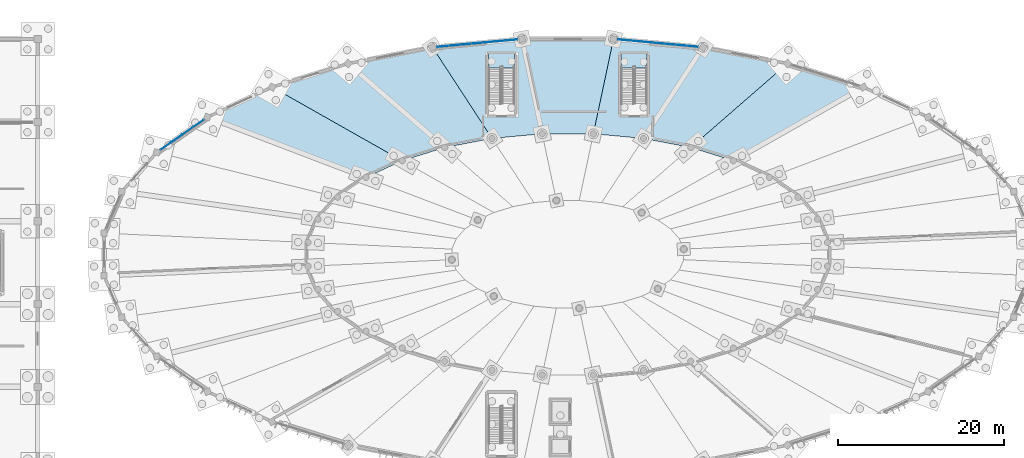
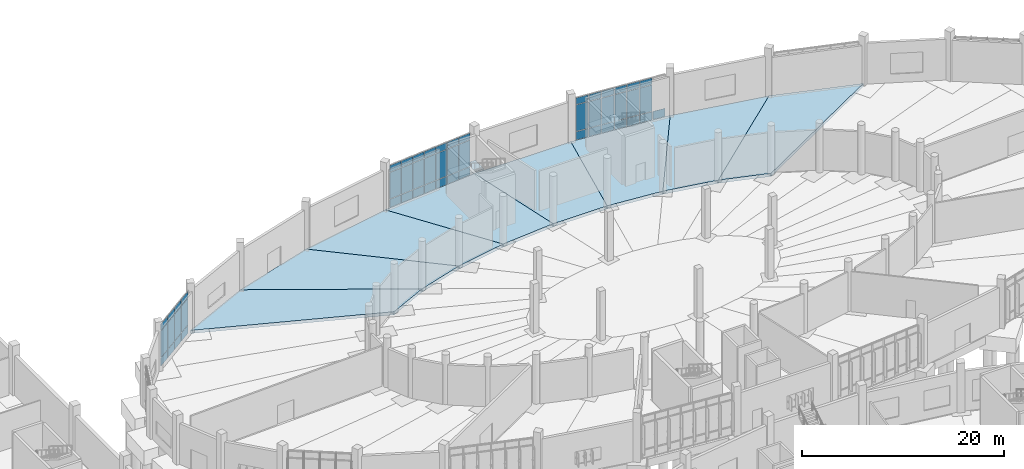
# One storey, part 72 of 140: 52 plates, 10 slabs, 5 elements without a shape of their own.
"""IFC4 building model written with IfcOpenShell, lengths in metres."""

import ifcopenshell
import ifcopenshell.guid

model = None  # the IFC model being written
_history = None  # IfcOwnerHistory: only IFC2X3 demands one
_inside = {}  # id of a spatial element -> (the spatial element, [elements in it])
_under = {}  # id of a project, library or spatial element -> (it, [spatial elements below it])
_declared = {}  # id of a project -> (the project, [libraries it declares])
_typed = {}  # id of a type object -> (the type object, [elements of that type])
_made_of = {}  # id of a material, layer set ... -> (it, [elements and type objects made of it])


def new_model(schema):
    """Start an empty IFC model of exactly this schema.

    Asked for "IFC4X3", IfcOpenShell would pick the latest addendum, in which some entities
    have other attributes; the version numbers below select the first issue.
    IFC2X3 requires an IfcOwnerHistory on every rooted entity: one is made here for all.
    """
    global model, _history
    if schema == "IFC4X3":
        model = ifcopenshell.file(schema_version=(4, 3, 0, 0))
    else:
        model = ifcopenshell.file(schema=schema)
    _inside.clear()
    _under.clear()
    _declared.clear()
    _typed.clear()
    _made_of.clear()
    _history = None
    if model.schema == "IFC2X3":
        org = make("IfcOrganization", Name="unknown")
        user = make(
            "IfcPersonAndOrganization",
            ThePerson=make("IfcPerson", FamilyName="unknown"),
            TheOrganization=org,
        )
        app = make(
            "IfcApplication",
            ApplicationDeveloper=org,
            Version="unknown",
            ApplicationFullName="unknown",
            ApplicationIdentifier="unknown",
        )
        _history = make(
            "IfcOwnerHistory",
            OwningUser=user,
            OwningApplication=app,
            ChangeAction="ADDED",
            CreationDate=0,
        )
    return model


def make(cls, **values):
    """One entity of the class cls with the attributes given. An attribute that is None is left unset."""
    return model.create_entity(
        cls, **{name: value for name, value in values.items() if value is not None}
    )


def rooted(cls, **values):
    """An entity with a GlobalId (a new one), such as an element, a storey or a relation."""
    return make(cls, GlobalId=ifcopenshell.guid.new(), OwnerHistory=_history, **values)


def si_unit(unit_type, name, prefix=None):
    """IfcSIUnit, for example si_unit("LENGTHUNIT", "METRE", prefix="MILLI")."""
    return make("IfcSIUnit", UnitType=unit_type, Prefix=prefix, Name=name)


def assignment(units):
    """IfcUnitAssignment: the units of a project."""
    return None if units is None else make("IfcUnitAssignment", Units=units)


def point(xyz):
    """IfcCartesianPoint."""
    return None if xyz is None else make("IfcCartesianPoint", Coordinates=xyz)


def direction(xyz):
    """IfcDirection."""
    return None if xyz is None else make("IfcDirection", DirectionRatios=xyz)


def frame(location, z_axis=None, x_axis=None):
    """IfcAxis2Placement3D, a coordinate frame: its origin and axes. An axis left out is left unset."""
    return make(
        "IfcAxis2Placement3D",
        Location=point(location),
        Axis=direction(z_axis),
        RefDirection=direction(x_axis),
    )


def frame_2d(location, x_axis=None):
    """IfcAxis2Placement2D, a coordinate frame in the plane: its origin and x axis."""
    return make(
        "IfcAxis2Placement2D", Location=point(location), RefDirection=direction(x_axis)
    )


def origin():
    """The frame at (0, 0, 0) with its axes left unset."""
    return frame((0.0, 0.0, 0.0))


def origin_2d():
    """The frame at (0, 0) in the plane with its x axis left unset."""
    return frame_2d((0.0, 0.0))


def place(relative_to, where):
    """IfcLocalPlacement: puts the frame where relative to a parent placement (None: the world)."""
    return make(
        "IfcLocalPlacement", PlacementRelTo=relative_to, RelativePlacement=where
    )


def context(
    kind, dimensions, precision=None, world=None, true_north=None, identifier=None
):
    """IfcGeometricRepresentationContext, for example the 3D "Model" context."""
    return make(
        "IfcGeometricRepresentationContext",
        ContextIdentifier=identifier,
        ContextType=kind,
        CoordinateSpaceDimension=dimensions,
        Precision=precision,
        WorldCoordinateSystem=world,
        TrueNorth=true_north,
    )


def subcontext(parent, identifier, kind, view, scale=None):
    """IfcGeometricRepresentationSubContext, for example "Body" below "Model"."""
    return make(
        "IfcGeometricRepresentationSubContext",
        ContextIdentifier=identifier,
        ContextType=kind,
        ParentContext=parent,
        TargetScale=scale,
        TargetView=view,
    )


def project(units=None, contexts=None):
    """IfcProject with its units and contexts."""
    return rooted(
        "IfcProject",
        Name="project",
        RepresentationContexts=contexts,
        UnitsInContext=assignment(units),
    )


def spatial(cls, under=None, at=None, **own):
    """A site, building, storey or space (cls), placed at a placement, below another one or the project."""
    s = rooted(cls, ObjectPlacement=at, **own)
    if under is not None:
        _under.setdefault(under.id(), (under, []))[1].append(s)
    return s


def polyline(points):
    """IfcPolyline through the points."""
    return make("IfcPolyline", Points=[point(p) for p in points])


def profile(cls, at=None, kind="AREA", **sizes):
    """A parametric profile (cls). Its sizes go by their IFC names, for example OverallWidth=200.0."""
    return make(cls, ProfileType=kind, Position=at, **sizes)


def rectangle(**sizes):
    """IfcRectangleProfileDef."""
    return profile("IfcRectangleProfileDef", **sizes)


def outline(outer, holes=None, kind="AREA"):
    """IfcArbitraryClosedProfileDef: a profile drawn as a closed curve; with holes, ...WithVoids."""
    if holes is None:
        return make("IfcArbitraryClosedProfileDef", ProfileType=kind, OuterCurve=outer)
    return make(
        "IfcArbitraryProfileDefWithVoids",
        ProfileType=kind,
        OuterCurve=outer,
        InnerCurves=holes,
    )


def extrude(swept, where, along, depth):
    """IfcExtrudedAreaSolid: the profile swept, set in the frame where, extruded along a direction by depth."""
    return make(
        "IfcExtrudedAreaSolid",
        SweptArea=swept,
        Position=where,
        ExtrudedDirection=direction(along),
        Depth=depth,
    )


def shape(context_of_items, identifier, shape_type, items):
    """IfcShapeRepresentation: the items that make up one representation, for example the "Body"."""
    return make(
        "IfcShapeRepresentation",
        ContextOfItems=context_of_items,
        RepresentationIdentifier=identifier,
        RepresentationType=shape_type,
        Items=items,
    )


def material(Name=None, Category=None):
    """IfcMaterial."""
    return make("IfcMaterial", Name=Name, Category=Category)


def layer(
    of_material, thickness, ventilated=None, Name=None, Category=None, Priority=None
):
    """IfcMaterialLayer: one layer of a wall or slab, of a material (None: an air gap)."""
    return make(
        "IfcMaterialLayer",
        Material=of_material,
        LayerThickness=thickness,
        IsVentilated=ventilated,
        Name=Name,
        Category=Category,
        Priority=Priority,
    )


def layer_set(layers, Name=None):
    """IfcMaterialLayerSet."""
    return make("IfcMaterialLayerSet", MaterialLayers=layers, LayerSetName=Name)


def made_of(thing, what):
    """Note that an element or type object is made of a material, layer set ...; save() writes the relation."""
    if what is not None:
        _made_of.setdefault(what.id(), (what, []))[1].append(thing)
    return thing


def type_object(cls, material=None, **own):
    """A type object (cls), such as IfcWallType, which elements share."""
    return made_of(rooted(cls, **own), material)


def element(
    cls,
    number,
    at=None,
    inside=None,
    cuts=None,
    type_object=None,
    material=None,
    context=None,
    identifier="Body",
    shape_type=None,
    held_by="IfcProductDefinitionShape",
    body=None,
    shapes=None,
    **own,
):
    """One element of the class cls, such as IfcWall. Its Tag is "e" and its number.

    at: its placement. inside: the storey or other place that contains it. cuts: it is an
    opening in that element (IfcRelVoidsElement). A single representation is given by context,
    identifier, shape_type and body (its items); several are given by shapes. held_by: the class
    of the entity that holds the representations. save() writes the other relations.
    """
    e = rooted(cls, Tag="e%d" % number, ObjectPlacement=at, **own)
    if body is not None:
        shapes = [shape(context, identifier, shape_type, body)]
    if shapes is not None:
        e.Representation = make(held_by, Representations=shapes)
    if inside is not None:
        _inside.setdefault(inside.id(), (inside, []))[1].append(e)
    if cuts is not None:
        rooted(
            "IfcRelVoidsElement", RelatingBuildingElement=cuts, RelatedOpeningElement=e
        )
    if type_object is not None:
        _typed.setdefault(type_object.id(), (type_object, []))[1].append(e)
    return made_of(e, material)


def aggregate(whole, parts):
    """IfcRelAggregates: a whole, such as a stair, and the parts it consists of."""
    return rooted("IfcRelAggregates", RelatingObject=whole, RelatedObjects=parts)


def save(model, path):
    """Write the relations noted so far, then the file.

    IfcRelAggregates (storeys below a building ...), IfcRelContainedInSpatialStructure (elements
    in a storey), IfcRelDefinesByType, IfcRelAssociatesMaterial and IfcRelDeclares: one each for
    every whole, place, type object, material and project.
    """
    for whole, parts in _under.values():
        aggregate(whole, parts)
    for where, things in _inside.values():
        rooted(
            "IfcRelContainedInSpatialStructure",
            RelatedElements=things,
            RelatingStructure=where,
        )
    for kind, things in _typed.values():
        rooted("IfcRelDefinesByType", RelatedObjects=things, RelatingType=kind)
    for what, things in _made_of.values():
        rooted("IfcRelAssociatesMaterial", RelatedObjects=things, RelatingMaterial=what)
    for by, libraries in _declared.values():
        rooted("IfcRelDeclares", RelatingContext=by, RelatedDefinitions=libraries)
    model.write(path)


model = new_model("IFC4")

# Units and contexts
model_context = context("Model", 3, precision=1e-05, world=origin(), true_north=direction((0.0, 1.0)))
body_context = subcontext(model_context, "Body", "Model", "MODEL_VIEW")
ifc_project = project(units=[si_unit("LENGTHUNIT", "METRE"), si_unit("AREAUNIT", "SQUARE_METRE"), si_unit("VOLUMEUNIT", "CUBIC_METRE"), si_unit("PLANEANGLEUNIT", "RADIAN"), si_unit("MASSUNIT", "GRAM", prefix="KILO")], contexts=[model_context])

# Site, building, storey
site_placement = place(None, origin())
site = spatial("IfcSite", under=ifc_project, at=site_placement, CompositionType="ELEMENT")
building_placement = place(site_placement, origin())
building = spatial("IfcBuilding", under=site, at=building_placement, Name="Corvandel Quay Wholesale Market", CompositionType="ELEMENT")
storey_placement = place(building_placement, origin())
storey = spatial("IfcBuildingStorey", under=building, at=storey_placement, Name="L00", CompositionType="ELEMENT", Elevation=0.0)

# Curtain wall, plates
ifc_material_1 = material(Name="Bronze anodised aluminium and low-E insulated glazing", Category="aluminium")
ifc_layer_1 = layer(ifc_material_1, 0.197998046875)
ifc_layer_set_1 = layer_set([ifc_layer_1], Name="Bronze anodised aluminium and low-E insulated glazing")
curtain_wall_type_1 = type_object("IfcCurtainWallType", Name="Stick Curtain Wall System CW09 H3810", PredefinedType="NOTDEFINED", material=ifc_layer_set_1)
curtain_wall_1_placement = place(storey_placement, origin())
curtain_wall_1 = element("IfcCurtainWall", 1, at=curtain_wall_1_placement, inside=storey, type_object=curtain_wall_type_1, Name="Curtain Wall CW-0096", PredefinedType="NOTDEFINED")
ifc_material_2 = material(Name="Solar-control low-E insulated glazing", Category="glass")
ifc_layer_2 = layer(ifc_material_2, 0.033935546875)
ifc_layer_set_2 = layer_set([ifc_layer_2], Name="Solar-control low-E insulated glazing")
plate_type_1 = type_object("IfcPlateType", Name="Acoustic Laminated Vision Panel PN02 34mm", PredefinedType="CURTAIN_PANEL", material=ifc_layer_set_2)
plate_1_placement = place(storey_placement, frame((129.101318359375, 141.114990234375, 0.0322265625), z_axis=(0.0, 0.0, 1.0), x_axis=(-0.995756880939, 0.092023008338, 0.0)))
plate_1 = element("IfcPlate", 2, at=plate_1_placement, type_object=plate_type_1, Name="Glazing Panel CW-0096-P00-0", PredefinedType="CURTAIN_PANEL", context=body_context, shape_type="SweptSolid", body=[
    extrude(rectangle(XDim=1.3330078125, YDim=0.033935546875, at=origin_2d()), origin(), (0.0, 0.0, 1.0), 0.985107421875),
])
plate_2_placement = place(storey_placement, frame((127.70947265625, 141.243408203125, 0.0322265625), z_axis=(0.0, 0.0, 1.0), x_axis=(-0.995756880939, 0.092023008338, 0.0)))
plate_2 = element("IfcPlate", 3, at=plate_2_placement, type_object=plate_type_1, Name="Glazing Panel CW-0096-P01-0", PredefinedType="CURTAIN_PANEL", context=body_context, shape_type="SweptSolid", body=[
    extrude(rectangle(XDim=1.3330078125, YDim=0.033935546875, at=origin_2d()), origin(), (0.0, 0.0, 1.0), 0.985107421875),
])
plate_3_placement = place(storey_placement, frame((127.70947265625, 141.243408203125, 1.08251953125), z_axis=(0.0, 0.0, 1.0), x_axis=(-0.995756880939, 0.092023008338, 0.0)))
plate_3 = element("IfcPlate", 4, at=plate_3_placement, type_object=plate_type_1, Name="Glazing Panel CW-0096-P01-1", PredefinedType="CURTAIN_PANEL", context=body_context, shape_type="SweptSolid", body=[
    extrude(rectangle(XDim=1.3330078125, YDim=0.033935546875, at=origin_2d()), origin(), (0.0, 0.0, 1.0), 3.18505859375),
])
plate_4_placement = place(storey_placement, frame((126.3173828125, 141.3720703125, 0.0322265625), z_axis=(0.0, 0.0, 1.0), x_axis=(-0.995756880939, 0.092023008338, 0.0)))
plate_4 = element("IfcPlate", 5, at=plate_4_placement, type_object=plate_type_1, Name="Glazing Panel CW-0096-P02-0", PredefinedType="CURTAIN_PANEL", context=body_context, shape_type="SweptSolid", body=[
    extrude(rectangle(XDim=1.3330078125, YDim=0.033935546875, at=origin_2d()), origin(), (0.0, 0.0, 1.0), 0.985107421875),
])
plate_5_placement = place(storey_placement, frame((126.3173828125, 141.3720703125, 1.08251953125), z_axis=(0.0, 0.0, 1.0), x_axis=(-0.995756880939, 0.092023008338, 0.0)))
plate_5 = element("IfcPlate", 6, at=plate_5_placement, type_object=plate_type_1, Name="Glazing Panel CW-0096-P02-1", PredefinedType="CURTAIN_PANEL", context=body_context, shape_type="SweptSolid", body=[
    extrude(rectangle(XDim=1.3330078125, YDim=0.033935546875, at=origin_2d()), origin(), (0.0, 0.0, 1.0), 3.18505859375),
])
plate_6_placement = place(storey_placement, frame((124.925537109375, 141.50048828125, 0.0322265625), z_axis=(0.0, 0.0, 1.0), x_axis=(-0.995756880939, 0.092023008338, 0.0)))
plate_6 = element("IfcPlate", 7, at=plate_6_placement, type_object=plate_type_1, Name="Glazing Panel CW-0096-P03-0", PredefinedType="CURTAIN_PANEL", context=body_context, shape_type="SweptSolid", body=[
    extrude(rectangle(XDim=1.3330078125, YDim=0.033935546875, at=origin_2d()), origin(), (0.0, 0.0, 1.0), 0.985107421875),
])
plate_7_placement = place(storey_placement, frame((124.925537109375, 141.50048828125, 1.08251953125), z_axis=(0.0, 0.0, 1.0), x_axis=(-0.995756880939, 0.092023008338, 0.0)))
plate_7 = element("IfcPlate", 8, at=plate_7_placement, type_object=plate_type_1, Name="Glazing Panel CW-0096-P03-1", PredefinedType="CURTAIN_PANEL", context=body_context, shape_type="SweptSolid", body=[
    extrude(rectangle(XDim=1.3330078125, YDim=0.033935546875, at=origin_2d()), origin(), (0.0, 0.0, 1.0), 3.18505859375),
])
plate_8_placement = place(storey_placement, frame((123.53369140625, 141.62890625, 0.0322265625), z_axis=(0.0, 0.0, 1.0), x_axis=(-0.995756880939, 0.092023008338, 0.0)))
plate_8 = element("IfcPlate", 9, at=plate_8_placement, type_object=plate_type_1, Name="Glazing Panel CW-0096-P04-0", PredefinedType="CURTAIN_PANEL", context=body_context, shape_type="SweptSolid", body=[
    extrude(rectangle(XDim=1.3330078125, YDim=0.033935546875, at=origin_2d()), origin(), (0.0, 0.0, 1.0), 0.985107421875),
])
plate_9_placement = place(storey_placement, frame((123.53369140625, 141.62890625, 1.08251953125), z_axis=(0.0, 0.0, 1.0), x_axis=(-0.995756880939, 0.092023008338, 0.0)))
plate_9 = element("IfcPlate", 10, at=plate_9_placement, type_object=plate_type_1, Name="Glazing Panel CW-0096-P04-1", PredefinedType="CURTAIN_PANEL", context=body_context, shape_type="SweptSolid", body=[
    extrude(rectangle(XDim=1.3330078125, YDim=0.033935546875, at=origin_2d()), origin(), (0.0, 0.0, 1.0), 3.18505859375),
])
plate_10_placement = place(storey_placement, frame((122.1416015625, 141.757568359375, 0.0322265625), z_axis=(0.0, 0.0, 1.0), x_axis=(-0.995756880939, 0.092023008338, 0.0)))
plate_10 = element("IfcPlate", 11, at=plate_10_placement, type_object=plate_type_1, Name="Glazing Panel CW-0096-P05-0", PredefinedType="CURTAIN_PANEL", context=body_context, shape_type="SweptSolid", body=[
    extrude(rectangle(XDim=1.3330078125, YDim=0.033935546875, at=origin_2d()), origin(), (0.0, 0.0, 1.0), 0.985107421875),
])
plate_11_placement = place(storey_placement, frame((122.1416015625, 141.757568359375, 1.08251953125), z_axis=(0.0, 0.0, 1.0), x_axis=(-0.995756880939, 0.092023008338, 0.0)))
plate_11 = element("IfcPlate", 12, at=plate_11_placement, type_object=plate_type_1, Name="Glazing Panel CW-0096-P05-1", PredefinedType="CURTAIN_PANEL", context=body_context, shape_type="SweptSolid", body=[
    extrude(rectangle(XDim=1.3330078125, YDim=0.033935546875, at=origin_2d()), origin(), (0.0, 0.0, 1.0), 3.18505859375),
])
plate_12_placement = place(storey_placement, frame((120.749755859375, 141.885986328125, 0.0322265625), z_axis=(0.0, 0.0, 1.0), x_axis=(-0.995756880939, 0.092023008338, 0.0)))
plate_12 = element("IfcPlate", 13, at=plate_12_placement, type_object=plate_type_1, Name="Glazing Panel CW-0096-P06-0", PredefinedType="CURTAIN_PANEL", context=body_context, shape_type="SweptSolid", body=[
    extrude(rectangle(XDim=1.3330078125, YDim=0.033935546875, at=origin_2d()), origin(), (0.0, 0.0, 1.0), 0.985107421875),
])
plate_13_placement = place(storey_placement, frame((120.749755859375, 141.885986328125, 1.08251953125), z_axis=(0.0, 0.0, 1.0), x_axis=(-0.995756880939, 0.092023008338, 0.0)))
plate_13 = element("IfcPlate", 14, at=plate_13_placement, type_object=plate_type_1, Name="Glazing Panel CW-0096-P06-1", PredefinedType="CURTAIN_PANEL", context=body_context, shape_type="SweptSolid", body=[
    extrude(rectangle(XDim=1.3330078125, YDim=0.033935546875, at=origin_2d()), origin(), (0.0, 0.0, 1.0), 3.18505859375),
])

ifc_layer_3 = layer(ifc_material_1, 0.162109375)
ifc_layer_set_3 = layer_set([ifc_layer_3], Name="Bronze anodised aluminium and low-E insulated glazing")
curtain_wall_type_2 = type_object("IfcCurtainWallType", Name="Stick Curtain Wall System CW11 H3990", PredefinedType="NOTDEFINED", material=ifc_layer_set_3)
curtain_wall_2_placement = place(storey_placement, origin())
curtain_wall_2 = element("IfcCurtainWall", 15, at=curtain_wall_2_placement, inside=storey, type_object=curtain_wall_type_2, Name="Curtain Wall CW-0098", PredefinedType="NOTDEFINED")
plate_14_placement = place(storey_placement, frame((107.250244140625, 141.885986328125, 0.0322265625), z_axis=(0.0, 0.0, 1.0), x_axis=(0.995756880939, 0.092023008338, 0.0)))
plate_14 = element("IfcPlate", 16, at=plate_14_placement, type_object=plate_type_1, Name="Glazing Panel CW-0098-P00-0", PredefinedType="CURTAIN_PANEL", context=body_context, shape_type="SweptSolid", body=[
    extrude(rectangle(XDim=1.3330078125, YDim=0.033935546875, at=origin_2d()), origin(), (0.0, 0.0, 1.0), 0.985107421875),
])
plate_15_placement = place(storey_placement, frame((107.250244140625, 141.885986328125, 1.08251953125), z_axis=(0.0, 0.0, 1.0), x_axis=(0.995756880939, 0.092023008338, 0.0)))
plate_15 = element("IfcPlate", 17, at=plate_15_placement, type_object=plate_type_1, Name="Glazing Panel CW-0098-P00-1", PredefinedType="CURTAIN_PANEL", context=body_context, shape_type="SweptSolid", body=[
    extrude(rectangle(XDim=1.3330078125, YDim=0.033935546875, at=origin_2d()), origin(), (0.0, 0.0, 1.0), 3.18505859375),
])
plate_16_placement = place(storey_placement, frame((105.8583984375, 141.757568359375, 0.0322265625), z_axis=(0.0, 0.0, 1.0), x_axis=(0.995756880939, 0.092023008338, 0.0)))
plate_16 = element("IfcPlate", 18, at=plate_16_placement, type_object=plate_type_1, Name="Glazing Panel CW-0098-P01-0", PredefinedType="CURTAIN_PANEL", context=body_context, shape_type="SweptSolid", body=[
    extrude(rectangle(XDim=1.3330078125, YDim=0.033935546875, at=origin_2d()), origin(), (0.0, 0.0, 1.0), 0.985107421875),
])
plate_17_placement = place(storey_placement, frame((105.8583984375, 141.757568359375, 1.08251953125), z_axis=(0.0, 0.0, 1.0), x_axis=(0.995756880939, 0.092023008338, 0.0)))
plate_17 = element("IfcPlate", 19, at=plate_17_placement, type_object=plate_type_1, Name="Glazing Panel CW-0098-P01-1", PredefinedType="CURTAIN_PANEL", context=body_context, shape_type="SweptSolid", body=[
    extrude(rectangle(XDim=1.3330078125, YDim=0.033935546875, at=origin_2d()), origin(), (0.0, 0.0, 1.0), 3.18505859375),
])
plate_18_placement = place(storey_placement, frame((104.46630859375, 141.62890625, 0.0322265625), z_axis=(0.0, 0.0, 1.0), x_axis=(0.995756880939, 0.092023008338, 0.0)))
plate_18 = element("IfcPlate", 20, at=plate_18_placement, type_object=plate_type_1, Name="Glazing Panel CW-0098-P02-0", PredefinedType="CURTAIN_PANEL", context=body_context, shape_type="SweptSolid", body=[
    extrude(rectangle(XDim=1.3330078125, YDim=0.033935546875, at=origin_2d()), origin(), (0.0, 0.0, 1.0), 0.985107421875),
])
plate_19_placement = place(storey_placement, frame((104.46630859375, 141.62890625, 1.08251953125), z_axis=(0.0, 0.0, 1.0), x_axis=(0.995756880939, 0.092023008338, 0.0)))
plate_19 = element("IfcPlate", 21, at=plate_19_placement, type_object=plate_type_1, Name="Glazing Panel CW-0098-P02-1", PredefinedType="CURTAIN_PANEL", context=body_context, shape_type="SweptSolid", body=[
    extrude(rectangle(XDim=1.3330078125, YDim=0.033935546875, at=origin_2d()), origin(), (0.0, 0.0, 1.0), 3.18505859375),
])
plate_20_placement = place(storey_placement, frame((103.074462890625, 141.50048828125, 0.0322265625), z_axis=(0.0, 0.0, 1.0), x_axis=(0.995756880939, 0.092023008338, 0.0)))
plate_20 = element("IfcPlate", 22, at=plate_20_placement, type_object=plate_type_1, Name="Glazing Panel CW-0098-P03-0", PredefinedType="CURTAIN_PANEL", context=body_context, shape_type="SweptSolid", body=[
    extrude(rectangle(XDim=1.3330078125, YDim=0.033935546875, at=origin_2d()), origin(), (0.0, 0.0, 1.0), 0.985107421875),
])
plate_21_placement = place(storey_placement, frame((103.074462890625, 141.50048828125, 1.08251953125), z_axis=(0.0, 0.0, 1.0), x_axis=(0.995756880939, 0.092023008338, 0.0)))
plate_21 = element("IfcPlate", 23, at=plate_21_placement, type_object=plate_type_1, Name="Glazing Panel CW-0098-P03-1", PredefinedType="CURTAIN_PANEL", context=body_context, shape_type="SweptSolid", body=[
    extrude(rectangle(XDim=1.3330078125, YDim=0.033935546875, at=origin_2d()), origin(), (0.0, 0.0, 1.0), 3.18505859375),
])
plate_22_placement = place(storey_placement, frame((101.6826171875, 141.3720703125, 0.0322265625), z_axis=(0.0, 0.0, 1.0), x_axis=(0.995756880939, 0.092023008338, 0.0)))
plate_22 = element("IfcPlate", 24, at=plate_22_placement, type_object=plate_type_1, Name="Glazing Panel CW-0098-P04-0", PredefinedType="CURTAIN_PANEL", context=body_context, shape_type="SweptSolid", body=[
    extrude(rectangle(XDim=1.3330078125, YDim=0.033935546875, at=origin_2d()), origin(), (0.0, 0.0, 1.0), 0.985107421875),
])
plate_23_placement = place(storey_placement, frame((101.6826171875, 141.3720703125, 1.08251953125), z_axis=(0.0, 0.0, 1.0), x_axis=(0.995756880939, 0.092023008338, 0.0)))
plate_23 = element("IfcPlate", 25, at=plate_23_placement, type_object=plate_type_1, Name="Glazing Panel CW-0098-P04-1", PredefinedType="CURTAIN_PANEL", context=body_context, shape_type="SweptSolid", body=[
    extrude(rectangle(XDim=1.3330078125, YDim=0.033935546875, at=origin_2d()), origin(), (0.0, 0.0, 1.0), 3.18505859375),
])
plate_24_placement = place(storey_placement, frame((100.29052734375, 141.243408203125, 0.0322265625), z_axis=(0.0, 0.0, 1.0), x_axis=(0.995756880939, 0.092023008338, 0.0)))
plate_24 = element("IfcPlate", 26, at=plate_24_placement, type_object=plate_type_1, Name="Glazing Panel CW-0098-P05-0", PredefinedType="CURTAIN_PANEL", context=body_context, shape_type="SweptSolid", body=[
    extrude(rectangle(XDim=1.3330078125, YDim=0.033935546875, at=origin_2d()), origin(), (0.0, 0.0, 1.0), 0.985107421875),
])
plate_25_placement = place(storey_placement, frame((100.29052734375, 141.243408203125, 1.08251953125), z_axis=(0.0, 0.0, 1.0), x_axis=(0.995756880939, 0.092023008338, 0.0)))
plate_25 = element("IfcPlate", 27, at=plate_25_placement, type_object=plate_type_1, Name="Glazing Panel CW-0098-P05-1", PredefinedType="CURTAIN_PANEL", context=body_context, shape_type="SweptSolid", body=[
    extrude(rectangle(XDim=1.3330078125, YDim=0.033935546875, at=origin_2d()), origin(), (0.0, 0.0, 1.0), 3.18505859375),
])
plate_26_placement = place(storey_placement, frame((98.898681640625, 141.114990234375, 0.0322265625), z_axis=(0.0, 0.0, 1.0), x_axis=(0.995756880939, 0.092023008338, 0.0)))
plate_26 = element("IfcPlate", 28, at=plate_26_placement, type_object=plate_type_1, Name="Glazing Panel CW-0098-P06-0", PredefinedType="CURTAIN_PANEL", context=body_context, shape_type="SweptSolid", body=[
    extrude(rectangle(XDim=1.3330078125, YDim=0.033935546875, at=origin_2d()), origin(), (0.0, 0.0, 1.0), 0.985107421875),
])
plate_27_placement = place(storey_placement, frame((98.898681640625, 141.114990234375, 1.08251953125), z_axis=(0.0, 0.0, 1.0), x_axis=(0.995756880939, 0.092023008338, 0.0)))
plate_27 = element("IfcPlate", 29, at=plate_27_placement, type_object=plate_type_1, Name="Glazing Panel CW-0098-P06-1", PredefinedType="CURTAIN_PANEL", context=body_context, shape_type="SweptSolid", body=[
    extrude(rectangle(XDim=1.3330078125, YDim=0.033935546875, at=origin_2d()), origin(), (0.0, 0.0, 1.0), 3.18505859375),
])

ifc_layer_4 = layer(ifc_material_1, 0.14990234375)
ifc_layer_set_4 = layer_set([ifc_layer_4], Name="Bronze anodised aluminium and low-E insulated glazing")
curtain_wall_type_3 = type_object("IfcCurtainWallType", Name="Stick Curtain Wall System CW15 H4350", PredefinedType="NOTDEFINED", material=ifc_layer_set_4)
curtain_wall_3_placement = place(storey_placement, origin())
curtain_wall_3 = element("IfcCurtainWall", 30, at=curtain_wall_3_placement, inside=storey, type_object=curtain_wall_type_3, Name="Curtain Wall CW-0101", PredefinedType="NOTDEFINED")
plate_28_placement = place(storey_placement, frame((69.4033203125, 131.810791015625, 0.0322265625), z_axis=(0.0, 0.0, 1.0), x_axis=(0.821248804935, 0.570570241419, 0.0)))
plate_28 = element("IfcPlate", 31, at=plate_28_placement, type_object=plate_type_1, Name="Glazing Panel CW-0101-P00-0", PredefinedType="CURTAIN_PANEL", context=body_context, shape_type="SweptSolid", body=[
    extrude(rectangle(XDim=1.53076171875, YDim=0.033935546875, at=origin_2d()), origin(), (0.0, 0.0, 1.0), 0.985107421875),
])
plate_29_placement = place(storey_placement, frame((69.4033203125, 131.810791015625, 1.08251953125), z_axis=(0.0, 0.0, 1.0), x_axis=(0.821248804935, 0.570570241419, 0.0)))
plate_29 = element("IfcPlate", 32, at=plate_29_placement, type_object=plate_type_1, Name="Glazing Panel CW-0101-P00-1", PredefinedType="CURTAIN_PANEL", context=body_context, shape_type="SweptSolid", body=[
    extrude(rectangle(XDim=1.53076171875, YDim=0.033935546875, at=origin_2d()), origin(), (0.0, 0.0, 1.0), 3.18505859375),
])
plate_30_placement = place(storey_placement, frame((68.0927734375, 130.900146484375, 0.0322265625), z_axis=(0.0, 0.0, 1.0), x_axis=(0.821248804935, 0.570570241419, 0.0)))
plate_30 = element("IfcPlate", 33, at=plate_30_placement, type_object=plate_type_1, Name="Glazing Panel CW-0101-P01-0", PredefinedType="CURTAIN_PANEL", context=body_context, shape_type="SweptSolid", body=[
    extrude(rectangle(XDim=1.53076171875, YDim=0.033935546875, at=origin_2d()), origin(), (0.0, 0.0, 1.0), 0.985107421875),
])
plate_31_placement = place(storey_placement, frame((68.0927734375, 130.900146484375, 1.08251953125), z_axis=(0.0, 0.0, 1.0), x_axis=(0.821248804935, 0.570570241419, 0.0)))
plate_31 = element("IfcPlate", 34, at=plate_31_placement, type_object=plate_type_1, Name="Glazing Panel CW-0101-P01-1", PredefinedType="CURTAIN_PANEL", context=body_context, shape_type="SweptSolid", body=[
    extrude(rectangle(XDim=1.53076171875, YDim=0.033935546875, at=origin_2d()), origin(), (0.0, 0.0, 1.0), 3.18505859375),
])
plate_32_placement = place(storey_placement, frame((66.7822265625, 129.98974609375, 0.0322265625), z_axis=(0.0, 0.0, 1.0), x_axis=(0.821248804935, 0.570570241419, 0.0)))
plate_32 = element("IfcPlate", 35, at=plate_32_placement, type_object=plate_type_1, Name="Glazing Panel CW-0101-P02-0", PredefinedType="CURTAIN_PANEL", context=body_context, shape_type="SweptSolid", body=[
    extrude(rectangle(XDim=1.53076171875, YDim=0.033935546875, at=origin_2d()), origin(), (0.0, 0.0, 1.0), 0.985107421875),
])
plate_33_placement = place(storey_placement, frame((66.7822265625, 129.98974609375, 1.08251953125), z_axis=(0.0, 0.0, 1.0), x_axis=(0.821248804935, 0.570570241419, 0.0)))
plate_33 = element("IfcPlate", 36, at=plate_33_placement, type_object=plate_type_1, Name="Glazing Panel CW-0101-P02-1", PredefinedType="CURTAIN_PANEL", context=body_context, shape_type="SweptSolid", body=[
    extrude(rectangle(XDim=1.53076171875, YDim=0.033935546875, at=origin_2d()), origin(), (0.0, 0.0, 1.0), 3.18505859375),
])
plate_34_placement = place(storey_placement, frame((65.4716796875, 129.079345703125, 0.0322265625), z_axis=(0.0, 0.0, 1.0), x_axis=(0.821248804935, 0.570570241419, 0.0)))
plate_34 = element("IfcPlate", 37, at=plate_34_placement, type_object=plate_type_1, Name="Glazing Panel CW-0101-P03-0", PredefinedType="CURTAIN_PANEL", context=body_context, shape_type="SweptSolid", body=[
    extrude(rectangle(XDim=1.53076171875, YDim=0.033935546875, at=origin_2d()), origin(), (0.0, 0.0, 1.0), 0.985107421875),
])
plate_35_placement = place(storey_placement, frame((65.4716796875, 129.079345703125, 1.08251953125), z_axis=(0.0, 0.0, 1.0), x_axis=(0.821248804935, 0.570570241419, 0.0)))
plate_35 = element("IfcPlate", 38, at=plate_35_placement, type_object=plate_type_1, Name="Glazing Panel CW-0101-P03-1", PredefinedType="CURTAIN_PANEL", context=body_context, shape_type="SweptSolid", body=[
    extrude(rectangle(XDim=1.53076171875, YDim=0.033935546875, at=origin_2d()), origin(), (0.0, 0.0, 1.0), 3.18505859375),
])

# Plate
ifc_layer_5 = layer(ifc_material_2, 0.0400390625)
ifc_layer_set_5 = layer_set([ifc_layer_5], Name="Solar-control low-E insulated glazing")
plate_type_2 = type_object("IfcPlateType", Name="Ceramic Fritted Spandrel Panel PN03 40mm", PredefinedType="CURTAIN_PANEL", material=ifc_layer_set_5)
plate_36_placement = place(storey_placement, frame((127.70947265625, 141.243408203125, 4.33251953125), z_axis=(0.0, 0.0, 1.0), x_axis=(-0.995756880939, 0.092023008338, 0.0)))
plate_36 = element("IfcPlate", 39, at=plate_36_placement, type_object=plate_type_2, Name="Glazing Panel CW-0096-P01-2", PredefinedType="CURTAIN_PANEL", context=body_context, shape_type="SweptSolid", body=[
    extrude(rectangle(XDim=1.3330078125, YDim=0.0400390625, at=origin_2d()), origin(), (0.0, 0.0, 1.0), 0.784912109375),
])

plate_37_placement = place(storey_placement, frame((126.3173828125, 141.3720703125, 4.33251953125), z_axis=(0.0, 0.0, 1.0), x_axis=(-0.995756880939, 0.092023008338, 0.0)))
plate_37 = element("IfcPlate", 40, at=plate_37_placement, type_object=plate_type_2, Name="Glazing Panel CW-0096-P02-2", PredefinedType="CURTAIN_PANEL", context=body_context, shape_type="SweptSolid", body=[
    extrude(rectangle(XDim=1.3330078125, YDim=0.0400390625, at=origin_2d()), origin(), (0.0, 0.0, 1.0), 0.784912109375),
])

plate_38_placement = place(storey_placement, frame((124.925537109375, 141.50048828125, 4.33251953125), z_axis=(0.0, 0.0, 1.0), x_axis=(-0.995756880939, 0.092023008338, 0.0)))
plate_38 = element("IfcPlate", 41, at=plate_38_placement, type_object=plate_type_2, Name="Glazing Panel CW-0096-P03-2", PredefinedType="CURTAIN_PANEL", context=body_context, shape_type="SweptSolid", body=[
    extrude(rectangle(XDim=1.3330078125, YDim=0.0400390625, at=origin_2d()), origin(), (0.0, 0.0, 1.0), 0.784912109375),
])

plate_39_placement = place(storey_placement, frame((123.53369140625, 141.62890625, 4.33251953125), z_axis=(0.0, 0.0, 1.0), x_axis=(-0.995756880939, 0.092023008338, 0.0)))
plate_39 = element("IfcPlate", 42, at=plate_39_placement, type_object=plate_type_2, Name="Glazing Panel CW-0096-P04-2", PredefinedType="CURTAIN_PANEL", context=body_context, shape_type="SweptSolid", body=[
    extrude(rectangle(XDim=1.3330078125, YDim=0.0400390625, at=origin_2d()), origin(), (0.0, 0.0, 1.0), 0.784912109375),
])

plate_40_placement = place(storey_placement, frame((122.1416015625, 141.757568359375, 4.33251953125), z_axis=(0.0, 0.0, 1.0), x_axis=(-0.995756880939, 0.092023008338, 0.0)))
plate_40 = element("IfcPlate", 43, at=plate_40_placement, type_object=plate_type_2, Name="Glazing Panel CW-0096-P05-2", PredefinedType="CURTAIN_PANEL", context=body_context, shape_type="SweptSolid", body=[
    extrude(rectangle(XDim=1.3330078125, YDim=0.0400390625, at=origin_2d()), origin(), (0.0, 0.0, 1.0), 0.784912109375),
])

plate_41_placement = place(storey_placement, frame((120.749755859375, 141.885986328125, 4.33251953125), z_axis=(0.0, 0.0, 1.0), x_axis=(-0.995756880939, 0.092023008338, 0.0)))
plate_41 = element("IfcPlate", 44, at=plate_41_placement, type_object=plate_type_2, Name="Glazing Panel CW-0096-P06-2", PredefinedType="CURTAIN_PANEL", context=body_context, shape_type="SweptSolid", body=[
    extrude(rectangle(XDim=1.3330078125, YDim=0.0400390625, at=origin_2d()), origin(), (0.0, 0.0, 1.0), 0.784912109375),
])

aggregate(curtain_wall_1, [plate_1, plate_2, plate_3, plate_36, plate_4, plate_5, plate_37, plate_6, plate_7, plate_38, plate_8, plate_9, plate_39, plate_10, plate_11, plate_40, plate_12, plate_13, plate_41])

plate_42_placement = place(storey_placement, frame((107.250244140625, 141.885986328125, 4.33251953125), z_axis=(0.0, 0.0, 1.0), x_axis=(0.995756880939, 0.092023008338, 0.0)))
plate_42 = element("IfcPlate", 45, at=plate_42_placement, type_object=plate_type_2, Name="Glazing Panel CW-0098-P00-2", PredefinedType="CURTAIN_PANEL", context=body_context, shape_type="SweptSolid", body=[
    extrude(rectangle(XDim=1.3330078125, YDim=0.0400390625, at=origin_2d()), origin(), (0.0, 0.0, 1.0), 0.784912109375),
])

plate_43_placement = place(storey_placement, frame((105.8583984375, 141.757568359375, 4.33251953125), z_axis=(0.0, 0.0, 1.0), x_axis=(0.995756880939, 0.092023008338, 0.0)))
plate_43 = element("IfcPlate", 46, at=plate_43_placement, type_object=plate_type_2, Name="Glazing Panel CW-0098-P01-2", PredefinedType="CURTAIN_PANEL", context=body_context, shape_type="SweptSolid", body=[
    extrude(rectangle(XDim=1.3330078125, YDim=0.0400390625, at=origin_2d()), origin(), (0.0, 0.0, 1.0), 0.784912109375),
])

plate_44_placement = place(storey_placement, frame((104.46630859375, 141.62890625, 4.33251953125), z_axis=(0.0, 0.0, 1.0), x_axis=(0.995756880939, 0.092023008338, 0.0)))
plate_44 = element("IfcPlate", 47, at=plate_44_placement, type_object=plate_type_2, Name="Glazing Panel CW-0098-P02-2", PredefinedType="CURTAIN_PANEL", context=body_context, shape_type="SweptSolid", body=[
    extrude(rectangle(XDim=1.3330078125, YDim=0.0400390625, at=origin_2d()), origin(), (0.0, 0.0, 1.0), 0.784912109375),
])

plate_45_placement = place(storey_placement, frame((103.074462890625, 141.50048828125, 4.33251953125), z_axis=(0.0, 0.0, 1.0), x_axis=(0.995756880939, 0.092023008338, 0.0)))
plate_45 = element("IfcPlate", 48, at=plate_45_placement, type_object=plate_type_2, Name="Glazing Panel CW-0098-P03-2", PredefinedType="CURTAIN_PANEL", context=body_context, shape_type="SweptSolid", body=[
    extrude(rectangle(XDim=1.3330078125, YDim=0.0400390625, at=origin_2d()), origin(), (0.0, 0.0, 1.0), 0.784912109375),
])

plate_46_placement = place(storey_placement, frame((101.6826171875, 141.3720703125, 4.33251953125), z_axis=(0.0, 0.0, 1.0), x_axis=(0.995756880939, 0.092023008338, 0.0)))
plate_46 = element("IfcPlate", 49, at=plate_46_placement, type_object=plate_type_2, Name="Glazing Panel CW-0098-P04-2", PredefinedType="CURTAIN_PANEL", context=body_context, shape_type="SweptSolid", body=[
    extrude(rectangle(XDim=1.3330078125, YDim=0.0400390625, at=origin_2d()), origin(), (0.0, 0.0, 1.0), 0.784912109375),
])

plate_47_placement = place(storey_placement, frame((100.29052734375, 141.243408203125, 4.33251953125), z_axis=(0.0, 0.0, 1.0), x_axis=(0.995756880939, 0.092023008338, 0.0)))
plate_47 = element("IfcPlate", 50, at=plate_47_placement, type_object=plate_type_2, Name="Glazing Panel CW-0098-P05-2", PredefinedType="CURTAIN_PANEL", context=body_context, shape_type="SweptSolid", body=[
    extrude(rectangle(XDim=1.3330078125, YDim=0.0400390625, at=origin_2d()), origin(), (0.0, 0.0, 1.0), 0.784912109375),
])

plate_48_placement = place(storey_placement, frame((98.898681640625, 141.114990234375, 4.33251953125), z_axis=(0.0, 0.0, 1.0), x_axis=(0.995756880939, 0.092023008338, 0.0)))
plate_48 = element("IfcPlate", 51, at=plate_48_placement, type_object=plate_type_2, Name="Glazing Panel CW-0098-P06-2", PredefinedType="CURTAIN_PANEL", context=body_context, shape_type="SweptSolid", body=[
    extrude(rectangle(XDim=1.3330078125, YDim=0.0400390625, at=origin_2d()), origin(), (0.0, 0.0, 1.0), 0.784912109375),
])

aggregate(curtain_wall_2, [plate_14, plate_15, plate_42, plate_16, plate_17, plate_43, plate_18, plate_19, plate_44, plate_20, plate_21, plate_45, plate_22, plate_23, plate_46, plate_24, plate_25, plate_47, plate_26, plate_27, plate_48])

plate_49_placement = place(storey_placement, frame((69.4033203125, 131.810791015625, 4.33251953125), z_axis=(0.0, 0.0, 1.0), x_axis=(0.821248804935, 0.570570241419, 0.0)))
plate_49 = element("IfcPlate", 52, at=plate_49_placement, type_object=plate_type_2, Name="Glazing Panel CW-0101-P00-2", PredefinedType="CURTAIN_PANEL", context=body_context, shape_type="SweptSolid", body=[
    extrude(rectangle(XDim=1.53076171875, YDim=0.0400390625, at=origin_2d()), origin(), (0.0, 0.0, 1.0), 0.784912109375),
])

plate_50_placement = place(storey_placement, frame((68.0927734375, 130.900146484375, 4.33251953125), z_axis=(0.0, 0.0, 1.0), x_axis=(0.821248804935, 0.570570241419, 0.0)))
plate_50 = element("IfcPlate", 53, at=plate_50_placement, type_object=plate_type_2, Name="Glazing Panel CW-0101-P01-2", PredefinedType="CURTAIN_PANEL", context=body_context, shape_type="SweptSolid", body=[
    extrude(rectangle(XDim=1.53076171875, YDim=0.0400390625, at=origin_2d()), origin(), (0.0, 0.0, 1.0), 0.784912109375),
])

plate_51_placement = place(storey_placement, frame((66.7822265625, 129.98974609375, 4.33251953125), z_axis=(0.0, 0.0, 1.0), x_axis=(0.821248804935, 0.570570241419, 0.0)))
plate_51 = element("IfcPlate", 54, at=plate_51_placement, type_object=plate_type_2, Name="Glazing Panel CW-0101-P02-2", PredefinedType="CURTAIN_PANEL", context=body_context, shape_type="SweptSolid", body=[
    extrude(rectangle(XDim=1.53076171875, YDim=0.0400390625, at=origin_2d()), origin(), (0.0, 0.0, 1.0), 0.784912109375),
])

plate_52_placement = place(storey_placement, frame((65.4716796875, 129.079345703125, 4.33251953125), z_axis=(0.0, 0.0, 1.0), x_axis=(0.821248804935, 0.570570241419, 0.0)))
plate_52 = element("IfcPlate", 55, at=plate_52_placement, type_object=plate_type_2, Name="Glazing Panel CW-0101-P03-2", PredefinedType="CURTAIN_PANEL", context=body_context, shape_type="SweptSolid", body=[
    extrude(rectangle(XDim=1.53076171875, YDim=0.0400390625, at=origin_2d()), origin(), (0.0, 0.0, 1.0), 0.784912109375),
])

aggregate(curtain_wall_3, [plate_28, plate_29, plate_49, plate_30, plate_31, plate_50, plate_32, plate_33, plate_51, plate_34, plate_35, plate_52])

# Slabs
ifc_material_3 = material(Name="Concrete C40/50", Category="concrete")
ifc_layer_6 = layer(ifc_material_3, 0.3798828125)
ifc_layer_set_6 = layer_set([ifc_layer_6], Name="Concrete C40/50")
slab_type_1 = type_object("IfcSlabType", Name="Ground Bearing Fish Hall Slab 380", PredefinedType="BASESLAB", material=ifc_layer_set_6)
slab_1_placement = place(storey_placement, frame((0.0, 0.0, -0.3798828125)))
element("IfcSlab", 56, at=slab_1_placement, inside=storey, type_object=slab_type_1, Name="Slab SLB-0226", PredefinedType="BASESLAB", context=body_context, shape_type="SweptSolid", body=[
    extrude(outline(polyline([(149.697998046875, 136.196044921875), (140.52587890625, 139.041015625), (128.85498046875, 128.903076171875), (133.990966796875, 127.30908203125), (149.697998046875, 136.196044921875)])), origin(), (0.0, 0.0, 1.0), 0.3798828125),
])
slab_2_placement = place(storey_placement, frame((0.0, 0.0, -0.3798828125)))
element("IfcSlab", 57, at=slab_2_placement, inside=storey, type_object=slab_type_1, Name="Slab SLB-0230", PredefinedType="BASESLAB", context=body_context, shape_type="SweptSolid", body=[
    extrude(outline(polyline([(140.52587890625, 139.041015625), (130.3349609375, 141.0009765625), (123.14697265625, 130.0), (128.85498046875, 128.903076171875), (140.52587890625, 139.041015625)])), origin(), (0.0, 0.0, 1.0), 0.3798828125),
])
slab_3_placement = place(storey_placement, frame((0.0, 0.0, -0.3798828125)))
element("IfcSlab", 58, at=slab_3_placement, inside=storey, type_object=slab_type_1, Name="Slab SLB-0234", PredefinedType="BASESLAB", context=body_context, shape_type="SweptSolid", body=[
    extrude(outline(polyline([(130.3349609375, 141.0009765625), (119.51611328125, 142.0), (117.089111328125, 130.56005859375), (123.14697265625, 130.0), (130.3349609375, 141.0009765625)])), origin(), (0.0, 0.0, 1.0), 0.3798828125),
])
slab_4_placement = place(storey_placement, frame((0.0, 0.0, -0.3798828125)))
element("IfcSlab", 59, at=slab_4_placement, inside=storey, type_object=slab_type_1, Name="Slab SLB-0240", PredefinedType="BASESLAB", context=body_context, shape_type="SweptSolid", body=[
    extrude(outline(polyline([(119.51611328125, 142.0), (108.48388671875, 142.0), (110.910888671875, 130.56005859375), (117.089111328125, 130.56005859375), (119.51611328125, 142.0)])), origin(), (0.0, 0.0, 1.0), 0.3798828125),
])
slab_5_placement = place(storey_placement, frame((0.0, 0.0, -0.3798828125)))
element("IfcSlab", 60, at=slab_5_placement, inside=storey, type_object=slab_type_1, Name="Slab SLB-0246", PredefinedType="BASESLAB", context=body_context, shape_type="SweptSolid", body=[
    extrude(outline(polyline([(108.48388671875, 142.0), (97.6650390625, 141.0009765625), (104.85302734375, 130.0), (110.910888671875, 130.56005859375), (108.48388671875, 142.0)])), origin(), (0.0, 0.0, 1.0), 0.3798828125),
])
slab_6_placement = place(storey_placement, frame((0.0, 0.0, -0.3798828125)))
element("IfcSlab", 61, at=slab_6_placement, inside=storey, type_object=slab_type_1, Name="Slab SLB-0252", PredefinedType="BASESLAB", context=body_context, shape_type="SweptSolid", body=[
    extrude(outline(polyline([(97.6650390625, 141.0009765625), (87.47412109375, 139.041015625), (99.14501953125, 128.903076171875), (104.85302734375, 130.0), (97.6650390625, 141.0009765625)])), origin(), (0.0, 0.0, 1.0), 0.3798828125),
])
slab_7_placement = place(storey_placement, frame((0.0, 0.0, -0.3798828125)))
element("IfcSlab", 62, at=slab_7_placement, inside=storey, type_object=slab_type_1, Name="Slab SLB-0258", PredefinedType="BASESLAB", context=body_context, shape_type="SweptSolid", body=[
    extrude(outline(polyline([(87.47412109375, 139.041015625), (78.302001953125, 136.196044921875), (94.009033203125, 127.30908203125), (99.14501953125, 128.903076171875), (87.47412109375, 139.041015625)])), origin(), (0.0, 0.0, 1.0), 0.3798828125),
])
slab_8_placement = place(storey_placement, frame((0.0, 0.0, -0.3798828125)))
element("IfcSlab", 63, at=slab_8_placement, inside=storey, type_object=slab_type_1, Name="Slab SLB-0264", PredefinedType="BASESLAB", context=body_context, shape_type="SweptSolid", body=[
    extrude(outline(polyline([(78.302001953125, 136.196044921875), (70.501953125, 132.573974609375), (89.64111328125, 125.281005859375), (94.009033203125, 127.30908203125), (78.302001953125, 136.196044921875)])), origin(), (0.0, 0.0, 1.0), 0.3798828125),
])

# Stair, slab
stair_type = type_object("IfcStairType", Name="Exit Stair Two-Return L00-L01 ST01", PredefinedType="USERDEFINED", material=ifc_material_3)
stair_1_placement = place(storey_placement, origin())
stair_1 = element("IfcStair", 64, at=stair_1_placement, inside=storey, type_object=stair_type, Name="Exit Stair STR-011", ObjectType="TWO_RETURN_STAIR", PredefinedType="USERDEFINED")
ifc_layer_7 = layer(ifc_material_3, 0.219970703125)
ifc_layer_set_7 = layer_set([ifc_layer_7], Name="Concrete C40/50")
slab_type_2 = type_object("IfcSlabType", Name="Precast Stair Landing LND01 220", PredefinedType="LANDING", material=ifc_layer_set_7)
slab_9_placement = place(storey_placement, frame((0.0, 0.0, 2.780029296875)))
slab_9 = element("IfcSlab", 65, at=slab_9_placement, type_object=slab_type_2, Name="Stair Landing STR-011-LND", PredefinedType="LANDING", context=body_context, shape_type="SweptSolid", body=[
    extrude(outline(polyline([(104.409912109375, 138.530029296875), (107.590087890625, 138.530029296875), (107.590087890625, 140.239990234375), (104.409912109375, 140.239990234375), (104.409912109375, 138.530029296875)])), origin(), (0.0, 0.0, 1.0), 0.219970703125),
])
aggregate(stair_1, [slab_9])

stair_2_placement = place(storey_placement, origin())
stair_2 = element("IfcStair", 66, at=stair_2_placement, inside=storey, type_object=stair_type, Name="Exit Stair STR-012", ObjectType="TWO_RETURN_STAIR", PredefinedType="USERDEFINED")
slab_10_placement = place(storey_placement, frame((0.0, 0.0, 2.780029296875)))
slab_10 = element("IfcSlab", 67, at=slab_10_placement, type_object=slab_type_2, Name="Stair Landing STR-012-LND", PredefinedType="LANDING", context=body_context, shape_type="SweptSolid", body=[
    extrude(outline(polyline([(120.409912109375, 138.530029296875), (123.590087890625, 138.530029296875), (123.590087890625, 140.239990234375), (120.409912109375, 140.239990234375), (120.409912109375, 138.530029296875)])), origin(), (0.0, 0.0, 1.0), 0.219970703125),
])
aggregate(stair_2, [slab_10])

save(model, "model.ifc")
